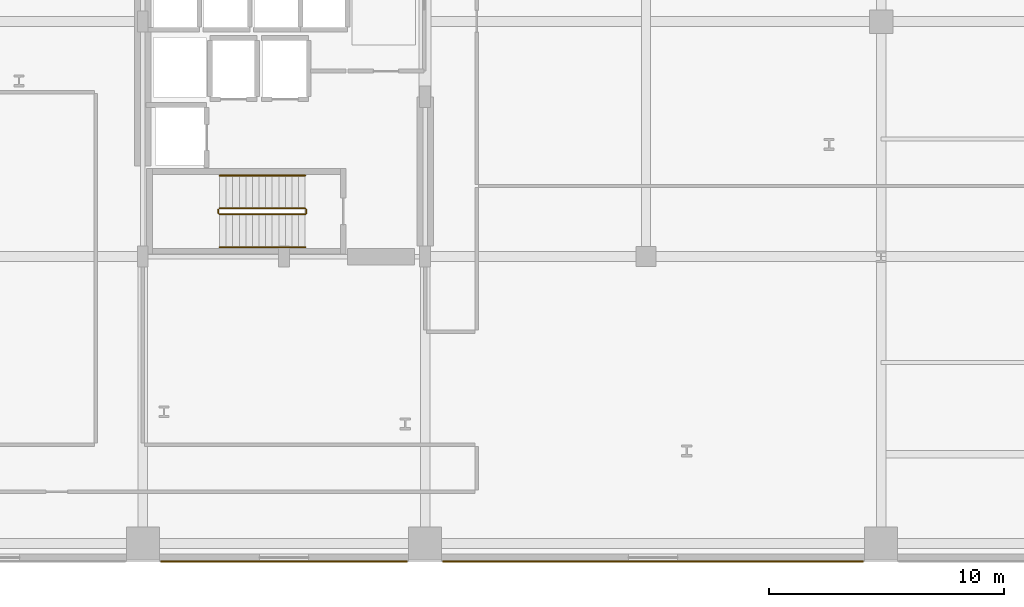
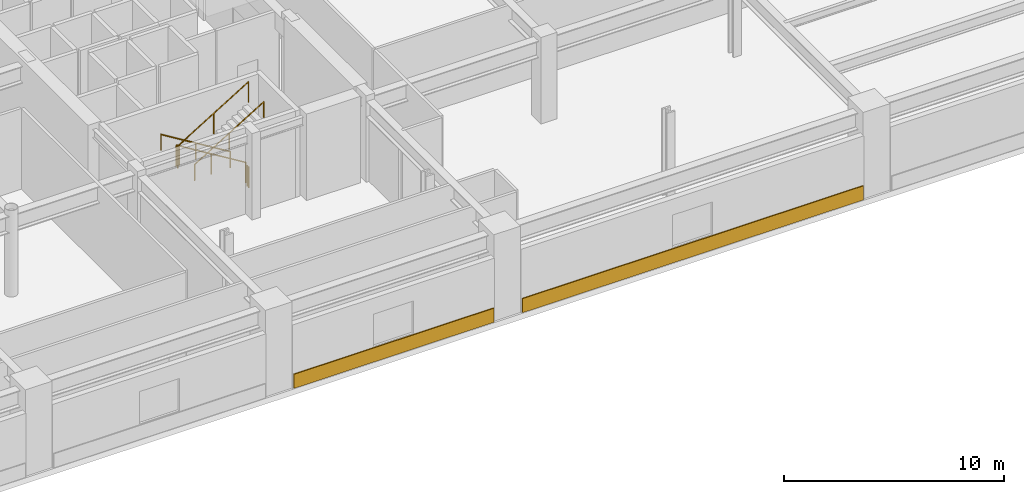
# One storey, part 25 of 28: 6 railings, 2 coverings.
"""IFC4 building model written with IfcOpenShell, lengths in metres."""

from ifc_helpers import new_model, si_unit, direction, frame, origin, origin_2d, place, context, subcontext, project, spatial, rectangle, circle, extrude, material, layer, layer_set, type_object, element, save


model = new_model("IFC4")

# Units and contexts
model_context = context("Model", 3, precision=1e-05, world=origin(), true_north=direction((0.0, 1.0)))
body_context = subcontext(model_context, "Body", "Model", "MODEL_VIEW")
ifc_project = project(units=[si_unit("LENGTHUNIT", "METRE"), si_unit("AREAUNIT", "SQUARE_METRE"), si_unit("VOLUMEUNIT", "CUBIC_METRE"), si_unit("PLANEANGLEUNIT", "RADIAN"), si_unit("MASSUNIT", "GRAM", prefix="KILO")], contexts=[model_context])

# Site, building, storey
site_placement = place(None, origin())
site = spatial("IfcSite", under=ifc_project, at=site_placement, CompositionType="ELEMENT")
building_placement = place(site_placement, origin())
building = spatial("IfcBuilding", under=site, at=building_placement, Name="Soratama Intermodal Tower", CompositionType="ELEMENT")
storey_placement = place(building_placement, frame((0.0, 0.0, 11.39990234375)))
storey = spatial("IfcBuildingStorey", under=building, at=storey_placement, Name="L02", CompositionType="ELEMENT", Elevation=11.39990234375)

# Coverings
ifc_material_1 = material(Name="Honed Andean limestone cladding", Category="masonry")
ifc_layer = layer(ifc_material_1, 0.06005859375)
ifc_layer_set = layer_set([ifc_layer], Name="Honed Andean limestone cladding")
covering_type = type_object("IfcCoveringType", Name="CV-STONE-CLAD", PredefinedType="CLADDING", material=ifc_layer_set)
covering_1_placement = place(storey_placement, frame((38.60009765625, 2.02392578125, 0.0302734375), z_axis=(0.0, 0.0, 1.0), x_axis=(1.0, 0.0, 0.0)))
element("IfcCovering", 1, at=covering_1_placement, inside=storey, type_object=covering_type, Name="L02 S Cladding B3", PredefinedType="CLADDING", context=body_context, shape_type="SweptSolid", body=[
    extrude(rectangle(XDim=10.5, YDim=0.06005859375, at=origin_2d()), origin(), (0.0, 0.0, 1.0), 0.780029296875),
])
covering_2_placement = place(storey_placement, frame((54.300048828125, 2.02392578125, 0.0302734375), z_axis=(0.0, 0.0, 1.0), x_axis=(1.0, 0.0, 0.0)))
element("IfcCovering", 2, at=covering_2_placement, inside=storey, type_object=covering_type, Name="L02 S Cladding B4", PredefinedType="CLADDING", context=body_context, shape_type="SweptSolid", body=[
    extrude(rectangle(XDim=17.89990234375, YDim=0.06005859375, at=origin_2d()), origin(), (0.0, 0.0, 1.0), 0.780029296875),
])

# Railings
ifc_material_2 = material(Name="Painted steel stair guardrail", Category="steel")
railing_type_1 = type_object("IfcRailingType", Name="RL-STAIR-GUARD", PredefinedType="GUARDRAIL", material=ifc_material_2)
railing_1_placement = place(storey_placement, frame((39.5, 17.050048828125, 0.171630859375)))
element("IfcRailing", 3, at=railing_1_placement, inside=storey, type_object=railing_type_1, Name="L02 ST-1 stair guard 1", PredefinedType="GUARDRAIL", context=body_context, shape_type="SweptSolid", body=[
    extrude(circle(Radius=0.02392578125, at=origin_2d()), frame((0.0, 0.0, 1.1259765625), z_axis=(-0.852850264322, 0.0, 0.5221555579), x_axis=(0.0, -1.0, 0.0)), (0.0, 0.0, 1.0), 4.267822265625),
    extrude(circle(Radius=0.02099609375, at=origin_2d()), origin(), (0.0, 0.0, 1.0), 1.101806640625),
    extrude(circle(Radius=0.02099609375, at=origin_2d()), frame((-1.81982421875, 0.0, 1.1142578125)), (0.0, 0.0, 1.0), 1.101806640625),
    extrude(circle(Radius=0.02099609375, at=origin_2d()), frame((-3.639892578125, 0.0, 2.228515625)), (0.0, 0.0, 1.0), 1.101806640625),
])
railing_2_placement = place(storey_placement, frame((35.81005859375, 17.0, 2.400146484375)))
element("IfcRailing", 4, at=railing_2_placement, inside=storey, type_object=railing_type_1, Name="L02 ST-1 stair guard 2", PredefinedType="GUARDRAIL", context=body_context, shape_type="SweptSolid", body=[
    extrude(circle(Radius=0.02392578125, at=origin_2d()), frame((0.0, 0.0, 1.1259765625), z_axis=(0.0, -1.0, 0.0), x_axis=(1.0, 0.0, 0.0)), (0.0, 0.0, 1.0), 0.14990234375),
    extrude(circle(Radius=0.02099609375, at=origin_2d()), origin(), (0.0, 0.0, 1.0), 1.101806640625),
    extrude(circle(Radius=0.02099609375, at=origin_2d()), frame((0.0, -0.14990234375, 0.0)), (0.0, 0.0, 1.0), 1.101806640625),
])
railing_3_placement = place(storey_placement, frame((35.860107421875, 16.800048828125, 2.571533203125)))
element("IfcRailing", 5, at=railing_3_placement, inside=storey, type_object=railing_type_1, Name="L02 ST-1 stair guard 3", PredefinedType="GUARDRAIL", context=body_context, shape_type="SweptSolid", body=[
    extrude(circle(Radius=0.02392578125, at=origin_2d()), frame((0.0, 0.0, 1.1259765625), z_axis=(0.852850264322, 0.0, 0.5221555579), x_axis=(0.0, 1.0, 0.0)), (0.0, 0.0, 1.0), 4.267822265625),
    extrude(circle(Radius=0.02099609375, at=origin_2d()), origin(), (0.0, 0.0, 1.0), 1.101806640625),
    extrude(circle(Radius=0.02099609375, at=origin_2d()), frame((1.81982421875, 0.0, 1.1142578125)), (0.0, 0.0, 1.0), 1.101806640625),
    extrude(circle(Radius=0.02099609375, at=origin_2d()), frame((3.639892578125, 0.0, 2.228515625)), (0.0, 0.0, 1.0), 1.101806640625),
])
railing_4_placement = place(storey_placement, frame((39.550048828125, 17.0, 0.0)))
element("IfcRailing", 6, at=railing_4_placement, inside=storey, type_object=railing_type_1, Name="L02 ST-1 stair guard 4", PredefinedType="GUARDRAIL", context=body_context, shape_type="SweptSolid", body=[
    extrude(circle(Radius=0.02392578125, at=origin_2d()), frame((0.0, 0.0, 1.1259765625), z_axis=(0.0, -1.0, 0.0), x_axis=(1.0, 0.0, 0.0)), (0.0, 0.0, 1.0), 0.14990234375),
    extrude(circle(Radius=0.02099609375, at=origin_2d()), origin(), (0.0, 0.0, 1.0), 1.101806640625),
    extrude(circle(Radius=0.02099609375, at=origin_2d()), frame((0.0, -0.14990234375, 0.0)), (0.0, 0.0, 1.0), 1.101806640625),
])
ifc_material_3 = material(Name="Brushed stainless steel handrail", Category="steel")
railing_type_2 = type_object("IfcRailingType", Name="RL-STAIR-HAND", PredefinedType="HANDRAIL", material=ifc_material_3)
railing_5_placement = place(storey_placement, frame((39.5, 18.449951171875, 0.171630859375)))
element("IfcRailing", 7, at=railing_5_placement, inside=storey, type_object=railing_type_2, Name="L02 ST-1 stair handrail 1", PredefinedType="HANDRAIL", context=body_context, shape_type="SweptSolid", body=[
    extrude(circle(Radius=0.02392578125, at=origin_2d()), frame((0.0, 0.0, 0.8759765625), z_axis=(-0.852850264322, 0.0, 0.5221555579), x_axis=(0.0, -1.0, 0.0)), (0.0, 0.0, 1.0), 4.267822265625),
    extrude(circle(Radius=0.02099609375, at=origin_2d()), origin(), (0.0, 0.0, 1.0), 0.851806640625),
    extrude(circle(Radius=0.02099609375, at=origin_2d()), frame((-1.81982421875, 0.0, 1.1142578125)), (0.0, 0.0, 1.0), 0.851806640625),
    extrude(circle(Radius=0.02099609375, at=origin_2d()), frame((-3.639892578125, 0.0, 2.228515625)), (0.0, 0.0, 1.0), 0.851806640625),
])
railing_6_placement = place(storey_placement, frame((35.860107421875, 15.39990234375, 2.571533203125)))
element("IfcRailing", 8, at=railing_6_placement, inside=storey, type_object=railing_type_2, Name="L02 ST-1 stair handrail 2", PredefinedType="HANDRAIL", context=body_context, shape_type="SweptSolid", body=[
    extrude(circle(Radius=0.02392578125, at=origin_2d()), frame((0.0, 0.0, 0.8759765625), z_axis=(0.852850264322, 0.0, 0.5221555579), x_axis=(0.0, 1.0, 0.0)), (0.0, 0.0, 1.0), 4.267822265625),
    extrude(circle(Radius=0.02099609375, at=origin_2d()), origin(), (0.0, 0.0, 1.0), 0.851806640625),
    extrude(circle(Radius=0.02099609375, at=origin_2d()), frame((1.81982421875, 0.0, 1.1142578125)), (0.0, 0.0, 1.0), 0.851806640625),
    extrude(circle(Radius=0.02099609375, at=origin_2d()), frame((3.639892578125, 0.0, 2.228515625)), (0.0, 0.0, 1.0), 0.851806640625),
])

save(model, "model.ifc")
